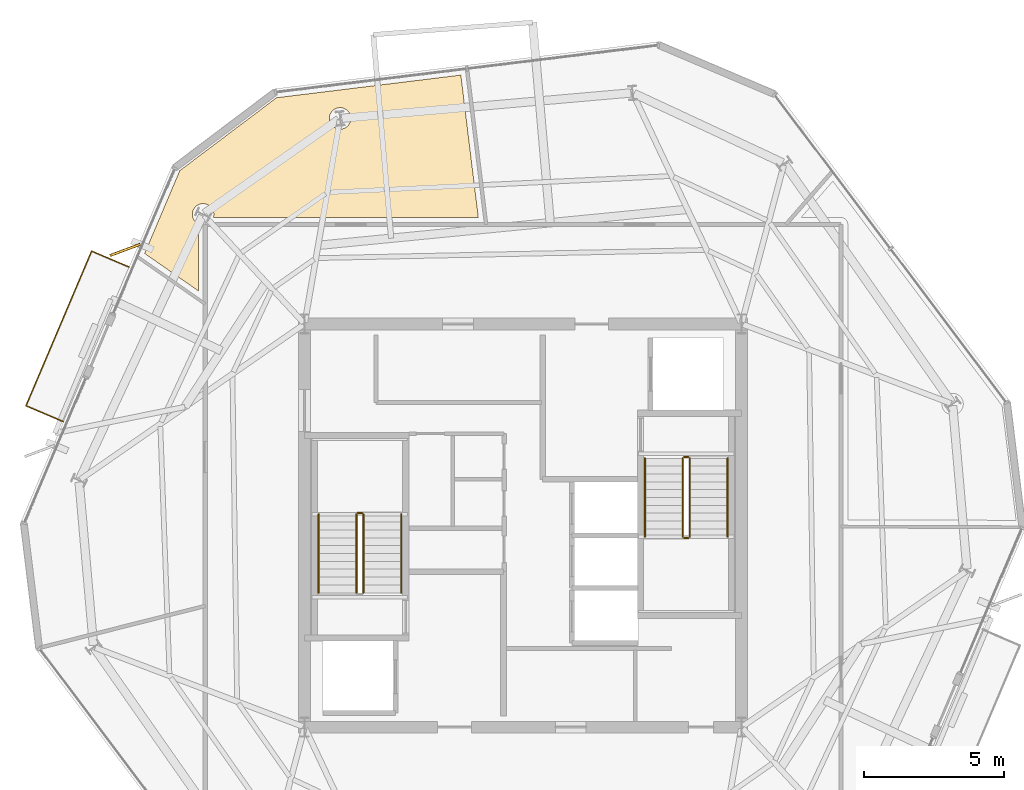
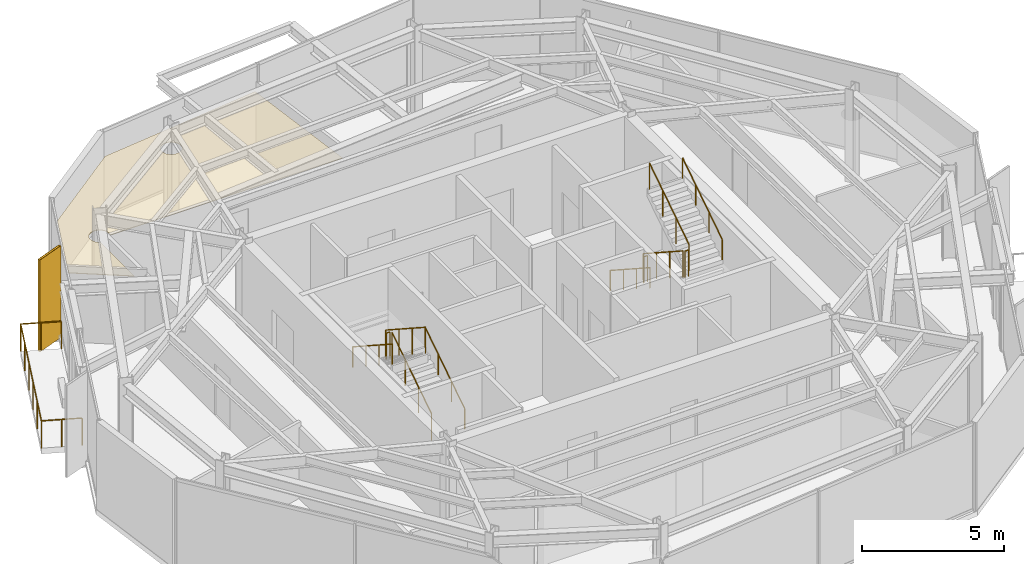
# One storey, part 10 of 11: 12 railings, 2 coverings, 1 shading device.
"""IFC4 building model written with IfcOpenShell, lengths in metres."""

from ifc_helpers import new_model, si_unit, direction, frame, origin, origin_2d, place, context, subcontext, project, spatial, polyline, rectangle, circle, outline, extrude, material, layer, layer_set, type_object, element, save


model = new_model("IFC4")

# Units and contexts
model_context = context("Model", 3, precision=1e-05, world=origin(), true_north=direction((0.0, 1.0)))
body_context = subcontext(model_context, "Body", "Model", "MODEL_VIEW")
ifc_project = project(units=[si_unit("LENGTHUNIT", "METRE"), si_unit("AREAUNIT", "SQUARE_METRE"), si_unit("VOLUMEUNIT", "CUBIC_METRE"), si_unit("PLANEANGLEUNIT", "RADIAN"), si_unit("MASSUNIT", "GRAM", prefix="KILO")], contexts=[model_context])

# Site, building, storey
site_placement = place(None, origin())
site = spatial("IfcSite", under=ifc_project, at=site_placement, CompositionType="ELEMENT")
building_placement = place(site_placement, origin())
building = spatial("IfcBuilding", under=site, at=building_placement, Name="Kranzbogen Civic Tower", CompositionType="ELEMENT")
storey_placement = place(building_placement, frame((0.0, 0.0, 294.199951171875)))
storey = spatial("IfcBuildingStorey", under=building, at=storey_placement, Name="L71", CompositionType="ELEMENT", Elevation=294.199951171875)

# Covering
ifc_material_1 = material(Name="Pale Anodised Aluminium", Category="aluminium")
ifc_layer_1 = layer(ifc_material_1, 0.02490234375, Name="Pale Anodised Aluminium")
ifc_layer_set_1 = layer_set([ifc_layer_1], Name="Pale Anodised Aluminium")
covering_type_1 = type_object("IfcCoveringType", Name="Anodised Aluminium Vertical Fin Cladding 25 mm", PredefinedType="CLADDING", material=ifc_layer_set_1)
covering_1_placement = place(storey_placement, frame((10.7890625, 34.840087890625, -0.139892578125), z_axis=(0.0, 0.0, 1.0), x_axis=(-0.937300239397, -0.348522970874, 0.0)))
element("IfcCovering", 1, at=covering_1_placement, inside=storey, type_object=covering_type_1, Name="L71 vertical fin pale-metal cladding F2-1", PredefinedType="CLADDING", context=body_context, shape_type="SweptSolid", body=[
    extrude(rectangle(XDim=1.14990234375, YDim=0.094970703125, at=origin_2d()), origin(), (0.0, 0.0, 1.0), 3.9599609375),
])

# Railings
ifc_material_2 = material(Name="Anodised Bronze Aluminium", Category="aluminium")
railing_type_1 = type_object("IfcRailingType", Name="Cantilevered Balcony Glass and Bronze Balustrade 1200", PredefinedType="BALUSTRADE", material=ifc_material_2)
railing_1_placement = place(storey_placement, frame((10.929931640625, 34.23095703125, 0.0)))
element("IfcRailing", 2, at=railing_1_placement, inside=storey, type_object=railing_type_1, Name="L71 exterior terrace balustrade L71-TB1", PredefinedType="BALUSTRADE", context=body_context, shape_type="SweptSolid", body=[
    extrude(circle(Radius=0.02392578125, at=origin_2d()), frame((0.0, 0.0, 1.17578125), z_axis=(-0.920385442678, 0.391012323215, 0.0), x_axis=(-0.391012323215, -0.920385442678, 0.0)), (0.0, 0.0, 1.0), 1.450439453125),
    extrude(circle(Radius=0.02392578125, at=origin_2d()), frame((-1.3349609375, 0.567138671875, 1.17578125), z_axis=(-0.390665834345, -0.920532566439, 0.0), x_axis=(0.920532566439, -0.390665834345, 0.0)), (0.0, 0.0, 1.0), 6.0),
    extrude(circle(Radius=0.02392578125, at=origin_2d()), frame((-3.678955078125, -4.9560546875, 1.17578125), z_axis=(0.920446011734, -0.390869721881, 0.0), x_axis=(0.390869721881, 0.920446011734, 0.0)), (0.0, 0.0, 1.0), 1.450439453125),
    extrude(circle(Radius=0.02099609375, at=origin_2d()), origin(), (0.0, 0.0, 1.0), 1.15185546875),
    extrude(circle(Radius=0.02099609375, at=origin_2d()), frame((-0.66748046875, 0.28369140625, 0.0)), (0.0, 0.0, 1.0), 1.15185546875),
    extrude(circle(Radius=0.02099609375, at=origin_2d()), frame((-1.3349609375, 0.567138671875, 0.0)), (0.0, 0.0, 1.0), 1.15185546875),
    extrude(circle(Radius=0.02099609375, at=origin_2d()), frame((-1.8037109375, -0.53759765625, 0.0)), (0.0, 0.0, 1.0), 1.15185546875),
    extrude(circle(Radius=0.02099609375, at=origin_2d()), frame((-2.2724609375, -1.64208984375, 0.0)), (0.0, 0.0, 1.0), 1.15185546875),
    extrude(circle(Radius=0.02099609375, at=origin_2d()), frame((-2.741455078125, -2.746826171875, 0.0)), (0.0, 0.0, 1.0), 1.15185546875),
    extrude(circle(Radius=0.02099609375, at=origin_2d()), frame((-3.210205078125, -3.851318359375, 0.0)), (0.0, 0.0, 1.0), 1.15185546875),
    extrude(circle(Radius=0.02099609375, at=origin_2d()), frame((-3.678955078125, -4.9560546875, 0.0)), (0.0, 0.0, 1.0), 1.15185546875),
    extrude(circle(Radius=0.02099609375, at=origin_2d()), frame((-3.011474609375, -5.239501953125, 0.0)), (0.0, 0.0, 1.0), 1.15185546875),
    extrude(circle(Radius=0.02099609375, at=origin_2d()), frame((-2.343994140625, -5.52294921875, 0.0)), (0.0, 0.0, 1.0), 1.15185546875),
])
ifc_material_3 = material(Name="Steel S355", Category="steel")
railing_type_2 = type_object("IfcRailingType", Name="Internal Stair and Void Steel Guardrail 1150", PredefinedType="GUARDRAIL", material=ifc_material_3)
railing_2_placement = place(storey_placement, frame((19.300048828125, 22.60009765625, 0.181884765625)))
element("IfcRailing", 3, at=railing_2_placement, inside=storey, type_object=railing_type_2, Name="L71 ST-T1 stair guard 1", PredefinedType="GUARDRAIL", context=body_context, shape_type="SweptSolid", body=[
    extrude(circle(Radius=0.02392578125, at=origin_2d()), frame((0.0, 0.0, 1.1259765625), z_axis=(0.0, 0.83868413941, 0.544618136222), x_axis=(-1.0, 0.0, 0.0)), (0.0, 0.0, 1.0), 3.33837890625),
    extrude(circle(Radius=0.02099609375, at=origin_2d()), origin(), (0.0, 0.0, 1.0), 1.101806640625),
    extrude(circle(Radius=0.02099609375, at=origin_2d()), frame((0.0, 0.933349609375, 0.60595703125)), (0.0, 0.0, 1.0), 1.101806640625),
    extrude(circle(Radius=0.02099609375, at=origin_2d()), frame((0.0, 1.866455078125, 1.212158203125)), (0.0, 0.0, 1.0), 1.101806640625),
    extrude(circle(Radius=0.02099609375, at=origin_2d()), frame((0.0, 2.7998046875, 1.818115234375)), (0.0, 0.0, 1.0), 1.101806640625),
])
railing_3_placement = place(storey_placement, frame((19.25, 25.449951171875, 2.0)))
element("IfcRailing", 4, at=railing_3_placement, inside=storey, type_object=railing_type_2, Name="L71 ST-T1 stair guard 2", PredefinedType="GUARDRAIL", context=body_context, shape_type="SweptSolid", body=[
    extrude(circle(Radius=0.02392578125, at=origin_2d()), frame((0.0, 0.0, 1.1259765625), z_axis=(-1.0, 0.0, 0.0), x_axis=(0.0, -1.0, 0.0)), (0.0, 0.0, 1.0), 0.14990234375),
    extrude(circle(Radius=0.02099609375, at=origin_2d()), origin(), (0.0, 0.0, 1.0), 1.101806640625),
    extrude(circle(Radius=0.02099609375, at=origin_2d()), frame((-0.14990234375, 0.0, 0.0)), (0.0, 0.0, 1.0), 1.101806640625),
])
for number, where, name in (
    (5, (19.050048828125, 25.39990234375, 2.181884765625), "L71 ST-T1 stair guard 3"),
    (6, (30.699951171875, 27.39990234375, 0.181884765625), "L71 ST-T2 stair guard 1"),
):
    element("IfcRailing", number, at=place(storey_placement, frame(where)), inside=storey, type_object=railing_type_2, Name=name, PredefinedType="GUARDRAIL", context=body_context, shape_type="SweptSolid", body=[
        extrude(circle(Radius=0.02392578125, at=origin_2d()), frame((0.0, 0.0, 1.1259765625), z_axis=(0.0, -0.83868413941, 0.544618136222), x_axis=(1.0, 0.0, 0.0)), (0.0, 0.0, 1.0), 3.33837890625),
        extrude(circle(Radius=0.02099609375, at=origin_2d()), origin(), (0.0, 0.0, 1.0), 1.101806640625),
        extrude(circle(Radius=0.02099609375, at=origin_2d()), frame((0.0, -0.933349609375, 0.60595703125)), (0.0, 0.0, 1.0), 1.101806640625),
        extrude(circle(Radius=0.02099609375, at=origin_2d()), frame((0.0, -1.866455078125, 1.212158203125)), (0.0, 0.0, 1.0), 1.101806640625),
        extrude(circle(Radius=0.02099609375, at=origin_2d()), frame((0.0, -2.7998046875, 1.818115234375)), (0.0, 0.0, 1.0), 1.101806640625),
    ])
railing_4_placement = place(storey_placement, frame((30.75, 24.550048828125, 2.0)))
element("IfcRailing", 7, at=railing_4_placement, inside=storey, type_object=railing_type_2, Name="L71 ST-T2 stair guard 2", PredefinedType="GUARDRAIL", context=body_context, shape_type="SweptSolid", body=[
    extrude(circle(Radius=0.02392578125, at=origin_2d()), frame((0.0, 0.0, 1.1259765625), z_axis=(1.0, 0.0, 0.0), x_axis=(0.0, 1.0, 0.0)), (0.0, 0.0, 1.0), 0.14990234375),
    extrude(circle(Radius=0.02099609375, at=origin_2d()), origin(), (0.0, 0.0, 1.0), 1.101806640625),
    extrude(circle(Radius=0.02099609375, at=origin_2d()), frame((0.14990234375, 0.0, 0.0)), (0.0, 0.0, 1.0), 1.101806640625),
])
railing_5_placement = place(storey_placement, frame((30.949951171875, 24.60009765625, 2.181884765625)))
element("IfcRailing", 8, at=railing_5_placement, inside=storey, type_object=railing_type_2, Name="L71 ST-T2 stair guard 3", PredefinedType="GUARDRAIL", context=body_context, shape_type="SweptSolid", body=[
    extrude(circle(Radius=0.02392578125, at=origin_2d()), frame((0.0, 0.0, 1.1259765625), z_axis=(0.0, 0.83868413941, 0.544618136222), x_axis=(-1.0, 0.0, 0.0)), (0.0, 0.0, 1.0), 3.33837890625),
    extrude(circle(Radius=0.02099609375, at=origin_2d()), origin(), (0.0, 0.0, 1.0), 1.101806640625),
    extrude(circle(Radius=0.02099609375, at=origin_2d()), frame((0.0, 0.933349609375, 0.60595703125)), (0.0, 0.0, 1.0), 1.101806640625),
    extrude(circle(Radius=0.02099609375, at=origin_2d()), frame((0.0, 1.866455078125, 1.212158203125)), (0.0, 0.0, 1.0), 1.101806640625),
    extrude(circle(Radius=0.02099609375, at=origin_2d()), frame((0.0, 2.7998046875, 1.818115234375)), (0.0, 0.0, 1.0), 1.101806640625),
])
railing_6_placement = place(storey_placement, frame((30.75, 27.449951171875, 0.0)))
element("IfcRailing", 9, at=railing_6_placement, inside=storey, type_object=railing_type_2, Name="L71 ST-T2 stair guard 4", PredefinedType="GUARDRAIL", context=body_context, shape_type="SweptSolid", body=[
    extrude(circle(Radius=0.02392578125, at=origin_2d()), frame((0.0, 0.0, 1.1259765625), z_axis=(1.0, 0.0, 0.0), x_axis=(0.0, 1.0, 0.0)), (0.0, 0.0, 1.0), 0.14990234375),
    extrude(circle(Radius=0.02099609375, at=origin_2d()), origin(), (0.0, 0.0, 1.0), 1.101806640625),
    extrude(circle(Radius=0.02099609375, at=origin_2d()), frame((0.14990234375, 0.0, 0.0)), (0.0, 0.0, 1.0), 1.101806640625),
])

# Shading device
shading_device_type = type_object("IfcShadingDeviceType", Name="Pale Anodised Aluminium Crown Fin 1150x75", PredefinedType="USERDEFINED", material=ifc_material_1)
shading_device_placement = place(storey_placement, frame((10.7890625, 34.840087890625, -0.139892578125), z_axis=(0.0, 0.0, 1.0), x_axis=(-0.937300239397, -0.348522970874, 0.0)))
element("IfcShadingDevice", 10, at=shading_device_placement, inside=storey, type_object=shading_device_type, Name="L71 vertical exterior shading fin F2-1", ObjectType="FIN", PredefinedType="USERDEFINED", context=body_context, shape_type="SweptSolid", body=[
    extrude(rectangle(XDim=1.14990234375, YDim=0.074951171875, at=origin_2d()), origin(), (0.0, 0.0, 1.0), 3.9599609375),
])

# Covering
ifc_material_4 = material(Name="Perforated Acoustic Gypsum Ceiling")
ifc_layer_2 = layer(ifc_material_4, 0.02490234375, Name="Perforated Acoustic Gypsum Ceiling")
ifc_layer_set_2 = layer_set([ifc_layer_2], Name="Perforated Acoustic Gypsum Ceiling")
covering_type_2 = type_object("IfcCoveringType", Name="Perforated Acoustic Mineral Ceiling Tile 25 mm", PredefinedType="CEILING", material=ifc_layer_set_2)
covering_2_placement = place(storey_placement, frame((0.0, 0.0, 2.75)))
element("IfcCovering", 11, at=covering_2_placement, inside=storey, type_object=covering_type_2, Name="L71 Duty Crew Control Room acoustic ceiling", PredefinedType="CEILING", context=body_context, shape_type="SweptSolid", body=[
    extrude(outline(polyline([(16.197998046875, 40.27490234375), (22.778076171875, 41.0830078125), (23.403076171875, 35.9951171875), (13.94091796875, 35.9951171875), (13.94189453125, 35.9990234375), (13.950927734375, 36.034912109375), (13.95703125, 36.072021484375), (13.9580078125, 36.110107421875), (13.95703125, 36.14794921875), (13.950927734375, 36.18505859375), (13.94189453125, 36.220947265625), (13.928955078125, 36.257080078125), (13.9130859375, 36.291015625), (13.89404296875, 36.322998046875), (13.87109375, 36.35302734375), (13.845947265625, 36.381103515625), (13.818115234375, 36.406005859375), (13.7880859375, 36.428955078125), (13.756103515625, 36.447998046875), (13.721923828125, 36.464111328125), (13.68603515625, 36.47705078125), (13.64990234375, 36.486083984375), (13.613037109375, 36.491943359375), (13.574951171875, 36.492919921875), (13.537109375, 36.491943359375), (13.5, 36.486083984375), (13.464111328125, 36.47705078125), (13.427978515625, 36.464111328125), (13.39404296875, 36.447998046875), (13.362060546875, 36.428955078125), (13.33203125, 36.406005859375), (13.303955078125, 36.381103515625), (13.279052734375, 36.35302734375), (13.256103515625, 36.322998046875), (13.237060546875, 36.291015625), (13.220947265625, 36.257080078125), (13.2080078125, 36.220947265625), (13.198974609375, 36.18505859375), (13.193115234375, 36.14794921875), (13.19189453125, 36.110107421875), (13.193115234375, 36.072021484375), (13.198974609375, 36.034912109375), (13.2080078125, 35.9990234375), (13.220947265625, 35.962890625), (13.237060546875, 35.928955078125), (13.256103515625, 35.89697265625), (13.279052734375, 35.866943359375), (13.303955078125, 35.839111328125), (13.33203125, 35.81396484375), (13.362060546875, 35.791015625), (13.39404296875, 35.77197265625), (13.406005859375, 35.76611328125), (13.406005859375, 35.764892578125), (13.405029296875, 35.759033203125), (13.405029296875, 35.75), (13.405029296875, 33.37890625), (11.488037109375, 34.714111328125), (12.742919921875, 37.6708984375), (16.197998046875, 40.27490234375)]), holes=[polyline([(18.821044921875, 39.388916015625), (18.804931640625, 39.35498046875), (18.785888671875, 39.322998046875), (18.762939453125, 39.29296875), (18.738037109375, 39.264892578125), (18.7099609375, 39.239990234375), (18.679931640625, 39.217041015625), (18.64794921875, 39.197998046875), (18.614013671875, 39.181884765625), (18.577880859375, 39.1689453125), (18.5419921875, 39.159912109375), (18.5048828125, 39.154052734375), (18.467041015625, 39.153076171875), (18.428955078125, 39.154052734375), (18.39208984375, 39.159912109375), (18.35595703125, 39.1689453125), (18.320068359375, 39.181884765625), (18.285888671875, 39.197998046875), (18.25390625, 39.217041015625), (18.22412109375, 39.239990234375), (18.196044921875, 39.264892578125), (18.1708984375, 39.29296875), (18.14794921875, 39.322998046875), (18.12890625, 39.35498046875), (18.113037109375, 39.388916015625), (18.10009765625, 39.425048828125), (18.091064453125, 39.4609375), (18.0849609375, 39.498046875), (18.083984375, 39.535888671875), (18.0849609375, 39.573974609375), (18.091064453125, 39.611083984375), (18.10009765625, 39.64697265625), (18.113037109375, 39.68310546875), (18.12890625, 39.717041015625), (18.14794921875, 39.7490234375), (18.1708984375, 39.779052734375), (18.196044921875, 39.806884765625), (18.22412109375, 39.83203125), (18.25390625, 39.85498046875), (18.285888671875, 39.8740234375), (18.320068359375, 39.889892578125), (18.35595703125, 39.903076171875), (18.39208984375, 39.912109375), (18.428955078125, 39.91796875), (18.467041015625, 39.9189453125), (18.5048828125, 39.91796875), (18.5419921875, 39.912109375), (18.577880859375, 39.903076171875), (18.614013671875, 39.889892578125), (18.64794921875, 39.8740234375), (18.679931640625, 39.85498046875), (18.7099609375, 39.83203125), (18.738037109375, 39.806884765625), (18.762939453125, 39.779052734375), (18.785888671875, 39.7490234375), (18.804931640625, 39.717041015625), (18.821044921875, 39.68310546875), (18.833984375, 39.64697265625), (18.843017578125, 39.611083984375), (18.84912109375, 39.573974609375), (18.85009765625, 39.535888671875), (18.84912109375, 39.498046875), (18.843017578125, 39.4609375), (18.833984375, 39.425048828125), (18.821044921875, 39.388916015625)])]), origin(), (0.0, 0.0, 1.0), 0.025146484375),
])

# Railings
railing_type_3 = type_object("IfcRailingType", Name="Tubular Stainless Stair Wall Handrail 900", PredefinedType="HANDRAIL", material=ifc_material_1)
railing_7_placement = place(storey_placement, frame((20.64990234375, 22.60009765625, 0.181884765625)))
element("IfcRailing", 12, at=railing_7_placement, inside=storey, type_object=railing_type_3, Name="L71 ST-T1 stair handrail 1", PredefinedType="HANDRAIL", context=body_context, shape_type="SweptSolid", body=[
    extrude(circle(Radius=0.02392578125, at=origin_2d()), frame((0.0, 0.0, 0.8759765625), z_axis=(0.0, 0.83868413941, 0.544618136222), x_axis=(-1.0, 0.0, 0.0)), (0.0, 0.0, 1.0), 3.33837890625),
    extrude(circle(Radius=0.02099609375, at=origin_2d()), origin(), (0.0, 0.0, 1.0), 0.851806640625),
    extrude(circle(Radius=0.02099609375, at=origin_2d()), frame((0.0, 0.933349609375, 0.60595703125)), (0.0, 0.0, 1.0), 0.851806640625),
    extrude(circle(Radius=0.02099609375, at=origin_2d()), frame((0.0, 1.866455078125, 1.212158203125)), (0.0, 0.0, 1.0), 0.851806640625),
    extrude(circle(Radius=0.02099609375, at=origin_2d()), frame((0.0, 2.7998046875, 1.818115234375)), (0.0, 0.0, 1.0), 0.851806640625),
])
for number, where, name in (
    (13, (17.699951171875, 25.39990234375, 2.181884765625), "L71 ST-T1 stair handrail 2"),
    (14, (29.35009765625, 27.39990234375, 0.181884765625), "L71 ST-T2 stair handrail 1"),
):
    element("IfcRailing", number, at=place(storey_placement, frame(where)), inside=storey, type_object=railing_type_3, Name=name, PredefinedType="HANDRAIL", context=body_context, shape_type="SweptSolid", body=[
        extrude(circle(Radius=0.02392578125, at=origin_2d()), frame((0.0, 0.0, 0.8759765625), z_axis=(0.0, -0.83868413941, 0.544618136222), x_axis=(1.0, 0.0, 0.0)), (0.0, 0.0, 1.0), 3.33837890625),
        extrude(circle(Radius=0.02099609375, at=origin_2d()), origin(), (0.0, 0.0, 1.0), 0.851806640625),
        extrude(circle(Radius=0.02099609375, at=origin_2d()), frame((0.0, -0.933349609375, 0.60595703125)), (0.0, 0.0, 1.0), 0.851806640625),
        extrude(circle(Radius=0.02099609375, at=origin_2d()), frame((0.0, -1.866455078125, 1.212158203125)), (0.0, 0.0, 1.0), 0.851806640625),
        extrude(circle(Radius=0.02099609375, at=origin_2d()), frame((0.0, -2.7998046875, 1.818115234375)), (0.0, 0.0, 1.0), 0.851806640625),
    ])
railing_8_placement = place(storey_placement, frame((32.300048828125, 24.60009765625, 2.181884765625)))
element("IfcRailing", 15, at=railing_8_placement, inside=storey, type_object=railing_type_3, Name="L71 ST-T2 stair handrail 2", PredefinedType="HANDRAIL", context=body_context, shape_type="SweptSolid", body=[
    extrude(circle(Radius=0.02392578125, at=origin_2d()), frame((0.0, 0.0, 0.8759765625), z_axis=(0.0, 0.83868413941, 0.544618136222), x_axis=(-1.0, 0.0, 0.0)), (0.0, 0.0, 1.0), 3.33837890625),
    extrude(circle(Radius=0.02099609375, at=origin_2d()), origin(), (0.0, 0.0, 1.0), 0.851806640625),
    extrude(circle(Radius=0.02099609375, at=origin_2d()), frame((0.0, 0.933349609375, 0.60595703125)), (0.0, 0.0, 1.0), 0.851806640625),
    extrude(circle(Radius=0.02099609375, at=origin_2d()), frame((0.0, 1.866455078125, 1.212158203125)), (0.0, 0.0, 1.0), 0.851806640625),
    extrude(circle(Radius=0.02099609375, at=origin_2d()), frame((0.0, 2.7998046875, 1.818115234375)), (0.0, 0.0, 1.0), 0.851806640625),
])

save(model, "model.ifc")
